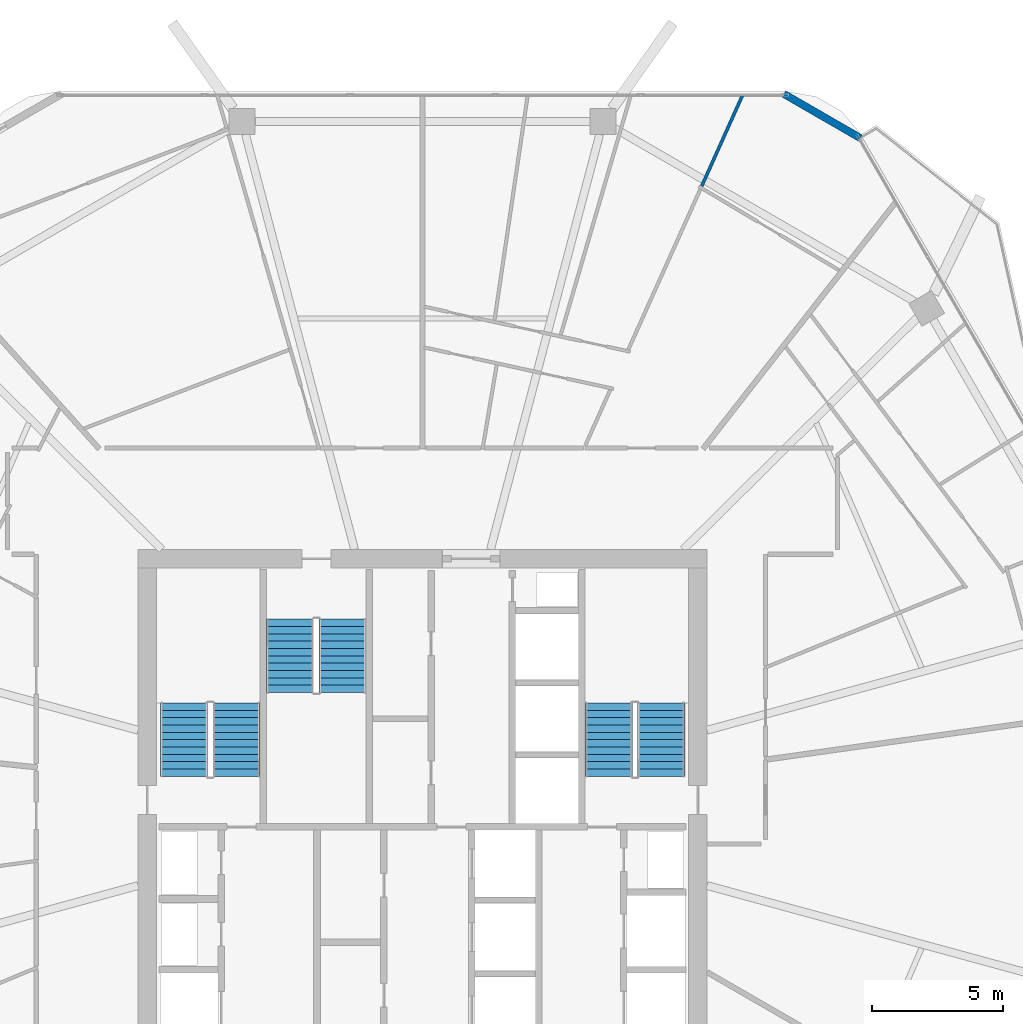
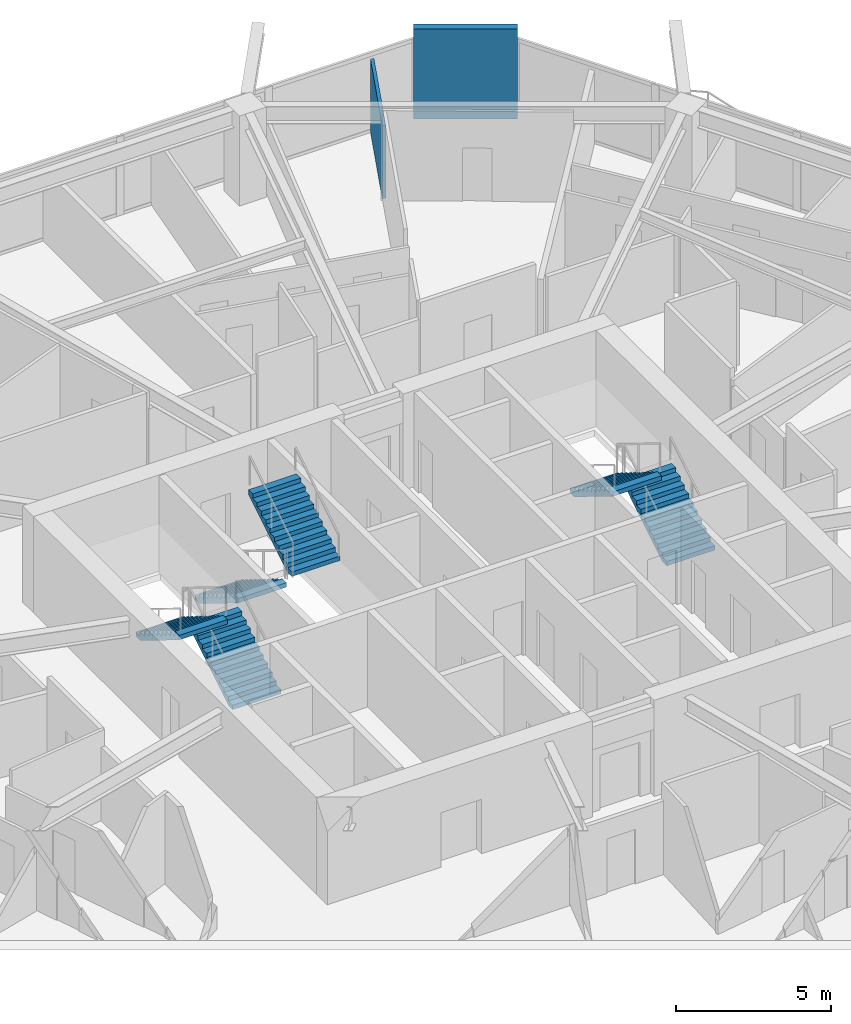
# One storey, part 23 of 26: 6 stair flights, 2 walls, 3 elements without a shape of their own.
"""IFC4 building model written with IfcOpenShell, lengths in metres."""

from ifc_helpers import new_model, si_unit, direction, frame, frame_2d, origin, place, context, subcontext, project, spatial, polyline, rectangle, outline, extrude, material, layer, layer_set, type_object, element, aggregate, save


model = new_model("IFC4")

# Units and contexts
model_context = context("Model", 3, precision=1e-05, world=origin(), true_north=direction((0.0, 1.0)))
body_context = subcontext(model_context, "Body", "Model", "MODEL_VIEW")
ifc_project = project(units=[si_unit("LENGTHUNIT", "METRE"), si_unit("AREAUNIT", "SQUARE_METRE"), si_unit("VOLUMEUNIT", "CUBIC_METRE"), si_unit("PLANEANGLEUNIT", "RADIAN"), si_unit("MASSUNIT", "GRAM", prefix="KILO")], contexts=[model_context])

# Site, building, storey
site_placement = place(None, origin())
site = spatial("IfcSite", under=ifc_project, at=site_placement, CompositionType="ELEMENT")
building_placement = place(site_placement, origin())
building = spatial("IfcBuilding", under=site, at=building_placement, Name="Zuhravey Tower", CompositionType="ELEMENT")
storey_placement = place(building_placement, frame((0.0, 0.0, 158.0)))
storey = spatial("IfcBuildingStorey", under=building, at=storey_placement, Name="L39", CompositionType="ELEMENT", Elevation=158.0)

# Walls
ifc_material_1 = material(Name="Precast concrete C40/50", Category="concrete")
ifc_layer_1 = layer(ifc_material_1, 0.280029296875)
ifc_layer_set_1 = layer_set([ifc_layer_1], Name="Precast concrete C40/50")
wall_type_1 = type_object("IfcWallType", Name="Crown Architectural Wall 280", PredefinedType="SOLIDWALL", material=ifc_layer_set_1)
wall_1_placement = place(storey_placement, frame((49.77880859375, 59.230712890625, 0.0), z_axis=(0.0, 0.0, 1.0), x_axis=(0.866020068361, -0.500009241111, 0.0)))
element("IfcWall", 1, at=wall_1_placement, inside=storey, type_object=wall_type_1, Name="L39 Rounded Corner Closure Wall EW28-10", PredefinedType="SOLIDWALL", context=body_context, shape_type="SweptSolid", body=[
    extrude(rectangle(XDim=3.365234375, YDim=0.280029296875, at=frame_2d((1.6826171875, 0.0))), origin(), (0.0, 0.0, 1.0), 3.550048828125),
])
ifc_material_2 = material(Name="Gypsum metal-stud partition")
ifc_layer_2 = layer(ifc_material_2, 0.1201171875)
ifc_layer_set_2 = layer_set([ifc_layer_2], Name="Gypsum metal-stud partition")
wall_type_2 = type_object("IfcWallType", Name="Unit Internal Partition 120", PredefinedType="PARTITIONING", material=ifc_layer_set_2)
wall_2_placement = place(storey_placement, frame((46.646728515625, 55.71240234375, 0.0), z_axis=(0.0, 0.0, 1.0), x_axis=(0.409634994126, 0.912249511695, 0.0)))
element("IfcWall", 2, at=wall_2_placement, inside=storey, type_object=wall_type_2, Name="L39 IW12 Partition 074", PredefinedType="PARTITIONING", context=body_context, shape_type="SweptSolid", body=[
    extrude(rectangle(XDim=3.8125, YDim=0.1201171875, at=frame_2d((1.90625, 0.0))), origin(), (0.0, 0.0, 1.0), 2.8701171875),
])

# Stair, stair flights
ifc_material_3 = material(Name="Concrete C40/50", Category="concrete")
stair_type = type_object("IfcStairType", Name="Housing Storey Stair Assembly 3800", PredefinedType="HALF_TURN_STAIR", material=ifc_material_3)
stair_1_placement = place(storey_placement, origin())
stair_1 = element("IfcStair", 3, at=stair_1_placement, inside=storey, type_object=stair_type, Name="L39 Core Exit Stair ST1", PredefinedType="HALF_TURN_STAIR")
stair_flight_type = type_object("IfcStairFlightType", Name="Housing Storey Stair Flight 3800", PredefinedType="STRAIGHT", material=ifc_material_3)
stair_flight_1_placement = place(storey_placement, frame((28.89990234375, 33.199951171875, 0.0), z_axis=(0.0, 0.0, 1.0), x_axis=(0.0, 1.0, 0.0)))
stair_flight_1 = element("IfcStairFlight", 4, at=stair_flight_1_placement, type_object=stair_flight_type, Name="ST1 flight 1", NumberOfRisers=11, NumberOfTreads=10, PredefinedType="STRAIGHT", RiserHeight=0.172727273, TreadLength=0.28, context=body_context, shape_type="SweptSolid", body=[
    extrude(outline(polyline([(0.0, 0.0), (0.0, 0.172607421875), (0.280029296875, 0.172607421875), (0.280029296875, 0.345458984375), (0.56005859375, 0.345458984375), (0.56005859375, 0.51806640625), (0.840087890625, 0.51806640625), (0.840087890625, 0.69091796875), (1.1201171875, 0.69091796875), (1.1201171875, 0.863525390625), (1.39990234375, 0.863525390625), (1.39990234375, 1.036376953125), (1.679931640625, 1.036376953125), (1.679931640625, 1.208984375), (1.9599609375, 1.208984375), (1.9599609375, 1.3818359375), (2.239990234375, 1.3818359375), (2.239990234375, 1.554443359375), (2.52001953125, 1.554443359375), (2.52001953125, 1.727294921875), (2.800048828125, 1.727294921875), (2.800048828125, 1.89990234375), (2.800048828125, 1.551025390625), (0.285400390625, 0.0), (0.0, 0.0)])), frame((0.0, 0.89990234375, 0.0), z_axis=(0.0, -1.0, 0.0), x_axis=(1.0, 0.0, 0.0)), (0.0, 0.0, 1.0), 1.800048828125),
])
stair_flight_2_placement = place(storey_placement, frame((26.89990234375, 36.0, 1.89990234375), z_axis=(0.0, 0.0, 1.0), x_axis=(0.0, -1.0, 0.0)))
stair_flight_2 = element("IfcStairFlight", 5, at=stair_flight_2_placement, type_object=stair_flight_type, Name="ST1 flight 2", NumberOfRisers=11, NumberOfTreads=10, PredefinedType="STRAIGHT", RiserHeight=0.172727273, TreadLength=0.28, context=body_context, shape_type="SweptSolid", body=[
    extrude(outline(polyline([(0.0, 0.0), (0.0, 0.172607421875), (0.280029296875, 0.172607421875), (0.280029296875, 0.345458984375), (0.56005859375, 0.345458984375), (0.56005859375, 0.51806640625), (0.840087890625, 0.51806640625), (0.840087890625, 0.69091796875), (1.1201171875, 0.69091796875), (1.1201171875, 0.863525390625), (1.39990234375, 0.863525390625), (1.39990234375, 1.036376953125), (1.679931640625, 1.036376953125), (1.679931640625, 1.208984375), (1.9599609375, 1.208984375), (1.9599609375, 1.3818359375), (2.239990234375, 1.3818359375), (2.239990234375, 1.554443359375), (2.52001953125, 1.554443359375), (2.52001953125, 1.727294921875), (2.800048828125, 1.727294921875), (2.800048828125, 1.89990234375), (2.800048828125, 1.551025390625), (0.285400390625, 0.0), (0.0, 0.0)])), frame((0.0, 0.89990234375, 0.0), z_axis=(0.0, -1.0, 0.0), x_axis=(1.0, 0.0, 0.0)), (0.0, 0.0, 1.0), 1.800048828125),
])
aggregate(stair_1, [stair_flight_1, stair_flight_2])

stair_2_placement = place(storey_placement, origin())
stair_2 = element("IfcStair", 6, at=stair_2_placement, inside=storey, type_object=stair_type, Name="L39 Core Exit Stair ST2", PredefinedType="HALF_TURN_STAIR")
stair_flight_3_placement = place(storey_placement, frame((45.10009765625, 33.199951171875, 0.0), z_axis=(0.0, 0.0, 1.0), x_axis=(0.0, 1.0, 0.0)))
stair_flight_3 = element("IfcStairFlight", 7, at=stair_flight_3_placement, type_object=stair_flight_type, Name="ST2 flight 1", NumberOfRisers=11, NumberOfTreads=10, PredefinedType="STRAIGHT", RiserHeight=0.172727273, TreadLength=0.28, context=body_context, shape_type="SweptSolid", body=[
    extrude(outline(polyline([(0.0, 0.0), (0.0, 0.172607421875), (0.280029296875, 0.172607421875), (0.280029296875, 0.345458984375), (0.56005859375, 0.345458984375), (0.56005859375, 0.51806640625), (0.840087890625, 0.51806640625), (0.840087890625, 0.69091796875), (1.1201171875, 0.69091796875), (1.1201171875, 0.863525390625), (1.39990234375, 0.863525390625), (1.39990234375, 1.036376953125), (1.679931640625, 1.036376953125), (1.679931640625, 1.208984375), (1.9599609375, 1.208984375), (1.9599609375, 1.3818359375), (2.239990234375, 1.3818359375), (2.239990234375, 1.554443359375), (2.52001953125, 1.554443359375), (2.52001953125, 1.727294921875), (2.800048828125, 1.727294921875), (2.800048828125, 1.89990234375), (2.800048828125, 1.551025390625), (0.285400390625, 0.0), (0.0, 0.0)])), frame((0.0, 0.89990234375, 0.0), z_axis=(0.0, -1.0, 0.0), x_axis=(1.0, 0.0, 0.0)), (0.0, 0.0, 1.0), 1.800048828125),
])
stair_flight_4_placement = place(storey_placement, frame((43.10009765625, 36.0, 1.89990234375), z_axis=(0.0, 0.0, 1.0), x_axis=(0.0, -1.0, 0.0)))
stair_flight_4 = element("IfcStairFlight", 8, at=stair_flight_4_placement, type_object=stair_flight_type, Name="ST2 flight 2", NumberOfRisers=11, NumberOfTreads=10, PredefinedType="STRAIGHT", RiserHeight=0.172727273, TreadLength=0.28, context=body_context, shape_type="SweptSolid", body=[
    extrude(outline(polyline([(0.0, 0.0), (0.0, 0.172607421875), (0.280029296875, 0.172607421875), (0.280029296875, 0.345458984375), (0.56005859375, 0.345458984375), (0.56005859375, 0.51806640625), (0.840087890625, 0.51806640625), (0.840087890625, 0.69091796875), (1.1201171875, 0.69091796875), (1.1201171875, 0.863525390625), (1.39990234375, 0.863525390625), (1.39990234375, 1.036376953125), (1.679931640625, 1.036376953125), (1.679931640625, 1.208984375), (1.9599609375, 1.208984375), (1.9599609375, 1.3818359375), (2.239990234375, 1.3818359375), (2.239990234375, 1.554443359375), (2.52001953125, 1.554443359375), (2.52001953125, 1.727294921875), (2.800048828125, 1.727294921875), (2.800048828125, 1.89990234375), (2.800048828125, 1.551025390625), (0.285400390625, 0.0), (0.0, 0.0)])), frame((0.0, 0.89990234375, 0.0), z_axis=(0.0, -1.0, 0.0), x_axis=(1.0, 0.0, 0.0)), (0.0, 0.0, 1.0), 1.800048828125),
])
aggregate(stair_2, [stair_flight_3, stair_flight_4])

stair_3_placement = place(storey_placement, origin())
stair_3 = element("IfcStair", 9, at=stair_3_placement, inside=storey, type_object=stair_type, Name="L39 Core Exit Stair ST3", PredefinedType="HALF_TURN_STAIR")
stair_flight_5_placement = place(storey_placement, frame((30.949951171875, 39.199951171875, 0.0), z_axis=(0.0, 0.0, 1.0), x_axis=(0.0, -1.0, 0.0)))
stair_flight_5 = element("IfcStairFlight", 10, at=stair_flight_5_placement, type_object=stair_flight_type, Name="ST3 flight 1", NumberOfRisers=11, NumberOfTreads=10, PredefinedType="STRAIGHT", RiserHeight=0.172727273, TreadLength=0.28, context=body_context, shape_type="SweptSolid", body=[
    extrude(outline(polyline([(0.0, 0.0), (0.0, 0.172607421875), (0.280029296875, 0.172607421875), (0.280029296875, 0.345458984375), (0.56005859375, 0.345458984375), (0.56005859375, 0.51806640625), (0.840087890625, 0.51806640625), (0.840087890625, 0.69091796875), (1.1201171875, 0.69091796875), (1.1201171875, 0.863525390625), (1.39990234375, 0.863525390625), (1.39990234375, 1.036376953125), (1.679931640625, 1.036376953125), (1.679931640625, 1.208984375), (1.9599609375, 1.208984375), (1.9599609375, 1.3818359375), (2.239990234375, 1.3818359375), (2.239990234375, 1.554443359375), (2.52001953125, 1.554443359375), (2.52001953125, 1.727294921875), (2.800048828125, 1.727294921875), (2.800048828125, 1.89990234375), (2.800048828125, 1.551025390625), (0.285400390625, 0.0), (0.0, 0.0)])), frame((0.0, 0.89990234375, 0.0), z_axis=(0.0, -1.0, 0.0), x_axis=(1.0, 0.0, 0.0)), (0.0, 0.0, 1.0), 1.800048828125),
])
stair_flight_6_placement = place(storey_placement, frame((32.949951171875, 36.39990234375, 1.89990234375), z_axis=(0.0, 0.0, 1.0), x_axis=(0.0, 1.0, 0.0)))
stair_flight_6 = element("IfcStairFlight", 11, at=stair_flight_6_placement, type_object=stair_flight_type, Name="ST3 flight 2", NumberOfRisers=11, NumberOfTreads=10, PredefinedType="STRAIGHT", RiserHeight=0.172727273, TreadLength=0.28, context=body_context, shape_type="SweptSolid", body=[
    extrude(outline(polyline([(0.0, 0.0), (0.0, 0.172607421875), (0.280029296875, 0.172607421875), (0.280029296875, 0.345458984375), (0.56005859375, 0.345458984375), (0.56005859375, 0.51806640625), (0.840087890625, 0.51806640625), (0.840087890625, 0.69091796875), (1.1201171875, 0.69091796875), (1.1201171875, 0.863525390625), (1.39990234375, 0.863525390625), (1.39990234375, 1.036376953125), (1.679931640625, 1.036376953125), (1.679931640625, 1.208984375), (1.9599609375, 1.208984375), (1.9599609375, 1.3818359375), (2.239990234375, 1.3818359375), (2.239990234375, 1.554443359375), (2.52001953125, 1.554443359375), (2.52001953125, 1.727294921875), (2.800048828125, 1.727294921875), (2.800048828125, 1.89990234375), (2.800048828125, 1.551025390625), (0.285400390625, 0.0), (0.0, 0.0)])), frame((0.0, 0.89990234375, 0.0), z_axis=(0.0, -1.0, 0.0), x_axis=(1.0, 0.0, 0.0)), (0.0, 0.0, 1.0), 1.800048828125),
])
aggregate(stair_3, [stair_flight_5, stair_flight_6])

save(model, "model.ifc")
